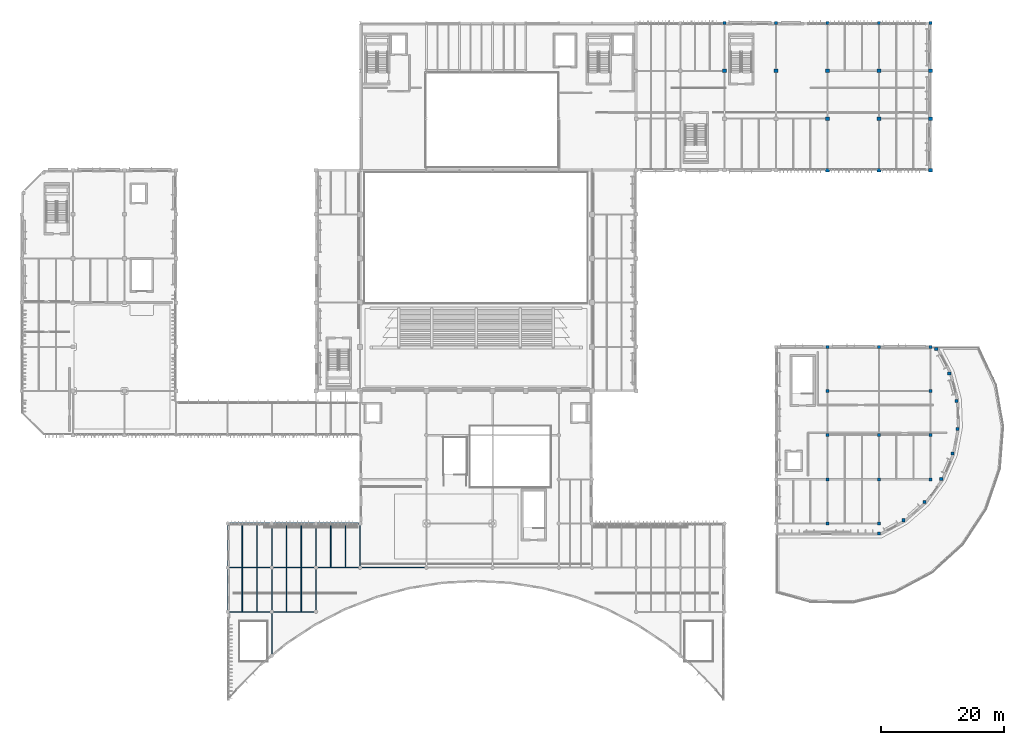
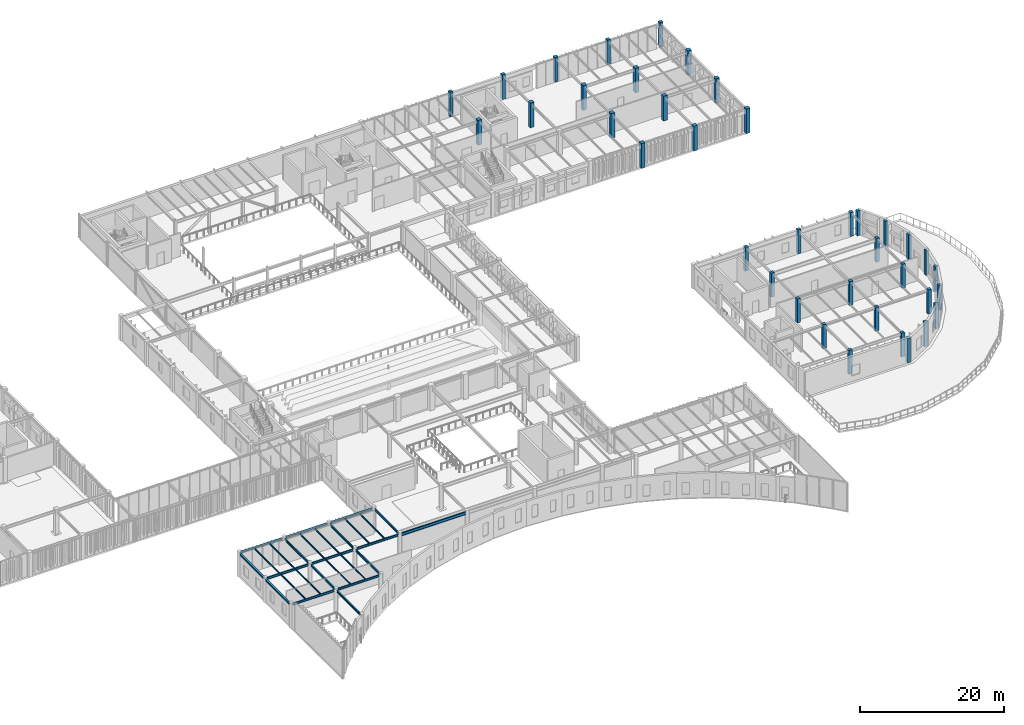
# One storey, part 11 of 104: 38 columns, 27 beams.
"""IFC4 building model written with IfcOpenShell, lengths in metres."""

from ifc_helpers import new_model, si_unit, direction, frame, origin, origin_2d, place, context, subcontext, project, spatial, rectangle, i_section, extrude, material, material_profile, profile_set, type_object, element, save


model = new_model("IFC4")

# Units and contexts
model_context = context("Model", 3, precision=1e-05, world=origin(), true_north=direction((0.0, 1.0)))
body_context = subcontext(model_context, "Body", "Model", "MODEL_VIEW")
ifc_project = project(units=[si_unit("LENGTHUNIT", "METRE"), si_unit("AREAUNIT", "SQUARE_METRE"), si_unit("VOLUMEUNIT", "CUBIC_METRE"), si_unit("PLANEANGLEUNIT", "RADIAN"), si_unit("MASSUNIT", "GRAM", prefix="KILO")], contexts=[model_context])

# Site, building, storey
site_placement = place(None, origin())
site = spatial("IfcSite", under=ifc_project, at=site_placement, CompositionType="ELEMENT")
building_placement = place(site_placement, origin())
building = spatial("IfcBuilding", under=site, at=building_placement, Name="Tazoul Stagehouse", CompositionType="ELEMENT")
storey_placement = place(building_placement, frame((0.0, 0.0, 9.0)))
storey = spatial("IfcBuildingStorey", under=building, at=storey_placement, Name="L02", CompositionType="ELEMENT", Elevation=9.0)

# Columns
ifc_material_1 = material(Name="Concrete C40/50", Category="concrete")
ifc_material_profile_1 = material_profile(ifc_material_1, rectangle(XDim=0.5, YDim=0.5, at=origin_2d()), Name="RC 500x500")
ifc_profile_set_1 = profile_set([ifc_material_profile_1], Name="Concrete C40/50")
column_type_1 = type_object("IfcColumnType", Name="RC Column 500x500", PredefinedType="COLUMN", material=ifc_profile_set_1)
for number, where, z_axis, x_axis, name in (
    (1, (133.800048828125, 30.199951171875, 0.0), (0.0, 0.0, 1.0), (1.0, 0.0, 0.0), "L02 Column C-02 at 20/E"),
    (2, (133.800048828125, 37.39990234375, 0.0), (0.0, 0.0, 1.0), (1.0, 0.0, 0.0), "L02 Column C-02 at 20/F"),
    (3, (133.800048828125, 44.60009765625, 0.0), (0.0, 0.0, 1.0), (1.0, 0.0, 0.0), "L02 Column C-02 at 20/G"),
    (4, (133.800048828125, 51.800048828125, 0.0), (0.0, 0.0, 1.0), (1.0, 0.0, 0.0), "L02 Column C-02 at 20/H"),
    (5, (142.199951171875, 30.199951171875, 0.0), (0.0, 0.0, 1.0), (1.0, 0.0, 0.0), "L02 Column C-02 at 21/E"),
    (6, (142.199951171875, 37.39990234375, 0.0), (0.0, 0.0, 1.0), (1.0, 0.0, 0.0), "L02 Column C-02 at 21/F"),
    (7, (142.199951171875, 44.60009765625, 0.0), (0.0, 0.0, 1.0), (1.0, 0.0, 0.0), "L02 Column C-02 at 21/G"),
    (8, (150.60009765625, 37.39990234375, 0.0), (0.0, 0.0, 1.0), (1.0, 0.0, 0.0), "L02 Column C-02 at 22/F"),
    (9, (150.60009765625, 44.60009765625, 0.0), (0.0, 0.0, 1.0), (1.0, 0.0, 0.0), "L02 Column C-02 at 22/G"),
    (10, (150.60009765625, 51.800048828125, 0.0), (0.0, 0.0, 1.0), (1.0, 0.0, 0.0), "L02 Column C-02 at 22/H"),
):
    element("IfcColumn", number, at=place(storey_placement, frame(where, z_axis=z_axis, x_axis=x_axis)), inside=storey, type_object=column_type_1, Name=name, PredefinedType="COLUMN", context=body_context, shape_type="SweptSolid", body=[
        extrude(rectangle(XDim=0.5, YDim=0.5, at=origin_2d()), origin(), (0.0, 0.0, 1.0), 4.06005859375),
    ])
ifc_material_profile_2 = material_profile(ifc_material_1, rectangle(XDim=0.5, YDim=0.5, at=origin_2d()), Name="RC 500x500")
ifc_profile_set_2 = profile_set([ifc_material_profile_2], Name="Concrete C40/50")
column_type_2 = type_object("IfcColumnType", Name="RC Column 500x500 (Exterior)", PredefinedType="COLUMN", material=ifc_profile_set_2)
for number, where, z_axis, x_axis, name in (
    (11, (117.0, 111.800048828125, 0.0), (0.0, 0.0, 1.0), (1.0, 0.0, 0.0), "L02 Column C-02E at 18/R"),
    (12, (125.39990234375, 111.800048828125, 0.0), (0.0, 0.0, 1.0), (1.0, 0.0, 0.0), "L02 Column C-02E at 19/R"),
):
    element("IfcColumn", number, at=place(storey_placement, frame(where, z_axis=z_axis, x_axis=x_axis)), inside=storey, type_object=column_type_2, Name=name, PredefinedType="COLUMN", context=body_context, shape_type="SweptSolid", body=[
        extrude(rectangle(XDim=0.5, YDim=0.5, at=origin_2d()), origin(), (0.0, 0.0, 1.0), 4.199951171875),
    ])
column_1_placement = place(storey_placement, frame((133.800048828125, 59.0, 0.0), z_axis=(0.0, 0.0, 1.0), x_axis=(1.0, 0.0, 0.0)))
element("IfcColumn", 13, at=column_1_placement, inside=storey, type_object=column_type_2, Name="L02 Column C-02E at 20/J", PredefinedType="COLUMN", context=body_context, shape_type="SweptSolid", body=[
    extrude(rectangle(XDim=0.5, YDim=0.5, at=origin_2d()), origin(), (0.0, 0.0, 1.0), 4.06005859375),
])
column_2_placement = place(storey_placement, frame((133.800048828125, 111.800048828125, 0.0), z_axis=(0.0, 0.0, 1.0), x_axis=(1.0, 0.0, 0.0)))
element("IfcColumn", 14, at=column_2_placement, inside=storey, type_object=column_type_2, Name="L02 Column C-02E at 20/R", PredefinedType="COLUMN", context=body_context, shape_type="SweptSolid", body=[
    extrude(rectangle(XDim=0.5, YDim=0.5, at=origin_2d()), origin(), (0.0, 0.0, 1.0), 4.199951171875),
])
column_3_placement = place(storey_placement, frame((142.199951171875, 59.0, 0.0), z_axis=(0.0, 0.0, 1.0), x_axis=(1.0, 0.0, 0.0)))
element("IfcColumn", 15, at=column_3_placement, inside=storey, type_object=column_type_2, Name="L02 Column C-02E at 21/J", PredefinedType="COLUMN", context=body_context, shape_type="SweptSolid", body=[
    extrude(rectangle(XDim=0.5, YDim=0.5, at=origin_2d()), origin(), (0.0, 0.0, 1.0), 4.06005859375),
])
column_4_placement = place(storey_placement, frame((142.199951171875, 111.800048828125, 0.0), z_axis=(0.0, 0.0, 1.0), x_axis=(1.0, 0.0, 0.0)))
element("IfcColumn", 16, at=column_4_placement, inside=storey, type_object=column_type_2, Name="L02 Column C-02E at 21/R", PredefinedType="COLUMN", context=body_context, shape_type="SweptSolid", body=[
    extrude(rectangle(XDim=0.5, YDim=0.5, at=origin_2d()), origin(), (0.0, 0.0, 1.0), 4.199951171875),
])
column_5_placement = place(storey_placement, frame((150.60009765625, 59.0, 0.0), z_axis=(0.0, 0.0, 1.0), x_axis=(1.0, 0.0, 0.0)))
element("IfcColumn", 17, at=column_5_placement, inside=storey, type_object=column_type_2, Name="L02 Column C-02E at 22/J", PredefinedType="COLUMN", context=body_context, shape_type="SweptSolid", body=[
    extrude(rectangle(XDim=0.5, YDim=0.5, at=origin_2d()), origin(), (0.0, 0.0, 1.0), 4.06005859375),
])
column_6_placement = place(storey_placement, frame((150.60009765625, 111.800048828125, 0.0), z_axis=(0.0, 0.0, 1.0), x_axis=(1.0, 0.0, 0.0)))
element("IfcColumn", 18, at=column_6_placement, inside=storey, type_object=column_type_2, Name="L02 Column C-02E at 22/R", PredefinedType="COLUMN", context=body_context, shape_type="SweptSolid", body=[
    extrude(rectangle(XDim=0.5, YDim=0.5, at=origin_2d()), origin(), (0.0, 0.0, 1.0), 4.199951171875),
])
for number, where, z_axis, x_axis, name in (
    (19, (151.5283203125, 58.66943359375, 0.0), (0.0, 0.0, 1.0), (1.0, 0.0, 0.0), "L02 Studio Drum Perimeter Column C-02E (01)"),
    (20, (153.6494140625, 54.6162109375, 0.0), (0.0, 0.0, 1.0), (1.0, 0.0, 0.0), "L02 Studio Drum Perimeter Column C-02E (02)"),
    (21, (154.82373046875, 50.19482421875, 0.0), (0.0, 0.0, 1.0), (1.0, 0.0, 0.0), "L02 Studio Drum Perimeter Column C-02E (03)"),
    (22, (154.993408203125, 45.623291015625, 0.0), (0.0, 0.0, 1.0), (1.0, 0.0, 0.0), "L02 Studio Drum Perimeter Column C-02E (04)"),
    (23, (154.14990234375, 41.627197265625, 0.0), (0.0, 0.0, 1.0), (1.0, 0.0, 0.0), "L02 Studio Drum Perimeter Column C-02E (05)"),
    (24, (152.3349609375, 37.427978515625, 0.0), (0.0, 0.0, 1.0), (1.0, 0.0, 0.0), "L02 Studio Drum Perimeter Column C-02E (06)"),
    (25, (149.637939453125, 33.73291015625, 0.0), (0.0, 0.0, 1.0), (1.0, 0.0, 0.0), "L02 Studio Drum Perimeter Column C-02E (07)"),
    (26, (146.19189453125, 30.72412109375, 0.0), (0.0, 0.0, 1.0), (1.0, 0.0, 0.0), "L02 Studio Drum Perimeter Column C-02E (08)"),
    (27, (142.1669921875, 28.550048828125, 0.0), (0.0, 0.0, 1.0), (1.0, 0.0, 0.0), "L02 Studio Drum Perimeter Column C-02E (09)"),
):
    element("IfcColumn", number, at=place(storey_placement, frame(where, z_axis=z_axis, x_axis=x_axis)), inside=storey, type_object=column_type_2, Name=name, PredefinedType="COLUMN", context=body_context, shape_type="SweptSolid", body=[
        extrude(rectangle(XDim=0.5, YDim=0.5, at=origin_2d()), origin(), (0.0, 0.0, 1.0), 4.179931640625),
    ])
ifc_material_profile_3 = material_profile(ifc_material_1, rectangle(XDim=0.60009765625, YDim=0.60009765625, at=origin_2d()), Name="RC 600x600")
ifc_profile_set_3 = profile_set([ifc_material_profile_3], Name="Concrete C40/50")
column_type_3 = type_object("IfcColumnType", Name="RC Column 600x600", PredefinedType="COLUMN", material=ifc_profile_set_3)
for number, where, z_axis, x_axis, name in (
    (28, (117.0, 104.0, 0.0), (0.0, 0.0, 1.0), (1.0, 0.0, 0.0), "L02 Column C-03 at 18/Q"),
    (29, (125.39990234375, 104.0, 0.0), (0.0, 0.0, 1.0), (1.0, 0.0, 0.0), "L02 Column C-03 at 19/Q"),
    (30, (133.800048828125, 96.199951171875, 0.0), (0.0, 0.0, 1.0), (1.0, 0.0, 0.0), "L02 Column C-03 at 20/P"),
    (31, (133.800048828125, 104.0, 0.0), (0.0, 0.0, 1.0), (1.0, 0.0, 0.0), "L02 Column C-03 at 20/Q"),
    (32, (142.199951171875, 96.199951171875, 0.0), (0.0, 0.0, 1.0), (1.0, 0.0, 0.0), "L02 Column C-03 at 21/P"),
    (33, (142.199951171875, 104.0, 0.0), (0.0, 0.0, 1.0), (1.0, 0.0, 0.0), "L02 Column C-03 at 21/Q"),
):
    element("IfcColumn", number, at=place(storey_placement, frame(where, z_axis=z_axis, x_axis=x_axis)), inside=storey, type_object=column_type_3, Name=name, PredefinedType="COLUMN", context=body_context, shape_type="SweptSolid", body=[
        extrude(rectangle(XDim=0.60009765625, YDim=0.60009765625, at=origin_2d()), origin(), (0.0, 0.0, 1.0), 4.199951171875),
    ])
ifc_material_profile_4 = material_profile(ifc_material_1, rectangle(XDim=0.60009765625, YDim=0.60009765625, at=origin_2d()), Name="RC 600x600")
ifc_profile_set_4 = profile_set([ifc_material_profile_4], Name="Concrete C40/50")
column_type_4 = type_object("IfcColumnType", Name="RC Column 600x600 (Exterior)", PredefinedType="COLUMN", material=ifc_profile_set_4)
for number, where, z_axis, x_axis, name in (
    (34, (133.800048828125, 87.800048828125, 0.0), (0.0, 0.0, 1.0), (1.0, 0.0, 0.0), "L02 Column C-03E at 20/N"),
    (35, (142.199951171875, 87.800048828125, 0.0), (0.0, 0.0, 1.0), (1.0, 0.0, 0.0), "L02 Column C-03E at 21/N"),
    (36, (150.60009765625, 87.800048828125, 0.0), (0.0, 0.0, 1.0), (1.0, 0.0, 0.0), "L02 Column C-03E at 22/N"),
    (37, (150.60009765625, 96.199951171875, 0.0), (0.0, 0.0, 1.0), (1.0, 0.0, 0.0), "L02 Column C-03E at 22/P"),
    (38, (150.60009765625, 104.0, 0.0), (0.0, 0.0, 1.0), (1.0, 0.0, 0.0), "L02 Column C-03E at 22/Q"),
):
    element("IfcColumn", number, at=place(storey_placement, frame(where, z_axis=z_axis, x_axis=x_axis)), inside=storey, type_object=column_type_4, Name=name, PredefinedType="COLUMN", context=body_context, shape_type="SweptSolid", body=[
        extrude(rectangle(XDim=0.60009765625, YDim=0.60009765625, at=origin_2d()), origin(), (0.0, 0.0, 1.0), 4.199951171875),
    ])

# Beams
ifc_material_2 = material(Name="Steel S355", Category="steel")
ifc_material_profile_5 = material_profile(ifc_material_2, i_section(OverallWidth=0.300048828125, OverallDepth=0.2900390625, WebThickness=0.008544921875, FlangeThickness=0.013916015625, FilletRadius=0.027099609375, at=origin_2d()), Name="HEA 300")
ifc_profile_set_5 = profile_set([ifc_material_profile_5], Name="Steel S355")
beam_type_1 = type_object("IfcBeamType", Name="Steel Crescent Spandrel HEA 300 (Exterior)", PredefinedType="SPANDREL", material=ifc_profile_set_5)
beam_1_placement = place(storey_placement, frame((36.27490234375, 30.199951171875, 3.81298828125), z_axis=(1.0, 0.0, 0.0), x_axis=(0.0, 1.0, 0.0)))
element("IfcBeam", 39, at=beam_1_placement, inside=storey, type_object=beam_type_1, Name="L02 Beam SP-03E E/5-6", PredefinedType="SPANDREL", context=body_context, shape_type="SweptSolid", body=[
    extrude(i_section(OverallWidth=0.300048828125, OverallDepth=0.2900390625, WebThickness=0.008544921875, FlangeThickness=0.013916015625, FilletRadius=0.027099609375, at=origin_2d()), origin(), (0.0, 0.0, 1.0), 6.650146484375),
])
for number, where, z_axis, x_axis, name in (
    (40, (43.47509765625, 30.199951171875, 3.81298828125), (1.0, 0.0, 0.0), (0.0, 1.0, 0.0), "L02 Beam SP-03E E/6-7"),
    (41, (50.675048828125, 30.199951171875, 3.81298828125), (1.0, 0.0, 0.0), (0.0, 1.0, 0.0), "L02 Beam SP-03E E/7-8"),
):
    element("IfcBeam", number, at=place(storey_placement, frame(where, z_axis=z_axis, x_axis=x_axis)), inside=storey, type_object=beam_type_1, Name=name, PredefinedType="SPANDREL", context=body_context, shape_type="SweptSolid", body=[
        extrude(i_section(OverallWidth=0.300048828125, OverallDepth=0.2900390625, WebThickness=0.008544921875, FlangeThickness=0.013916015625, FilletRadius=0.027099609375, at=origin_2d()), origin(), (0.0, 0.0, 1.0), 6.64990234375),
    ])
ifc_material_profile_6 = material_profile(ifc_material_2, i_section(OverallWidth=0.280029296875, OverallDepth=0.27001953125, WebThickness=0.008056640625, FlangeThickness=0.012939453125, FilletRadius=0.02392578125, at=origin_2d()), Name="HEA 280")
ifc_profile_set_6 = profile_set([ifc_material_profile_6], Name="Steel S355")
beam_type_2 = type_object("IfcBeamType", Name="Steel Facade Spandrel HEA 280 (Exterior)", PredefinedType="SPANDREL", material=ifc_profile_set_6)
for number, where, z_axis, x_axis, name in (
    (42, (36.0, 16.074951171875, 3.822998046875), (0.0, 1.0, 0.0), (-1.0, 0.0, 0.0), "L02 Beam SP-02E 5/C-D"),
    (43, (36.0, 23.27490234375, 3.822998046875), (0.0, 1.0, 0.0), (-1.0, 0.0, 0.0), "L02 Beam SP-02E 5/D-E"),
):
    element("IfcBeam", number, at=place(storey_placement, frame(where, z_axis=z_axis, x_axis=x_axis)), inside=storey, type_object=beam_type_2, Name=name, PredefinedType="SPANDREL", context=body_context, shape_type="SweptSolid", body=[
        extrude(i_section(OverallWidth=0.280029296875, OverallDepth=0.27001953125, WebThickness=0.008056640625, FlangeThickness=0.012939453125, FilletRadius=0.02392578125, at=origin_2d()), origin(), (0.0, 0.0, 1.0), 6.650146484375),
    ])
ifc_material_profile_7 = material_profile(ifc_material_2, i_section(OverallWidth=0.1201171875, OverallDepth=0.239990234375, WebThickness=0.006103515625, FlangeThickness=0.009765625, FilletRadius=0.014892578125, at=origin_2d()), Name="IPE 240")
ifc_profile_set_7 = profile_set([ifc_material_profile_7], Name="Steel S355")
beam_type_3 = type_object("IfcBeamType", Name="Steel Floor Joist IPE 240", PredefinedType="JOIST", material=ifc_profile_set_7)
for number, where, z_axis, x_axis, name in (
    (44, (38.39990234375, 15.860107421875, 3.837890625), (0.0, 1.0, 0.0), (-1.0, 0.0, 0.0), "L02 Joist JS-01 5/C-1"),
    (45, (40.800048828125, 15.860107421875, 3.837890625), (0.0, 1.0, 0.0), (-1.0, 0.0, 0.0), "L02 Joist JS-01 5/C-2"),
    (46, (45.60009765625, 15.860107421875, 3.837890625), (0.0, 1.0, 0.0), (-1.0, 0.0, 0.0), "L02 Joist JS-01 6/C-1"),
    (47, (48.0, 15.860107421875, 3.837890625), (0.0, 1.0, 0.0), (-1.0, 0.0, 0.0), "L02 Joist JS-01 6/C-2"),
):
    element("IfcBeam", number, at=place(storey_placement, frame(where, z_axis=z_axis, x_axis=x_axis)), inside=storey, type_object=beam_type_3, Name=name, PredefinedType="JOIST", context=body_context, shape_type="SweptSolid", body=[
        extrude(i_section(OverallWidth=0.1201171875, OverallDepth=0.239990234375, WebThickness=0.006103515625, FlangeThickness=0.009765625, FilletRadius=0.014892578125, at=origin_2d()), origin(), (0.0, 0.0, 1.0), 7.079833984375),
    ])
for number, where, z_axis, x_axis, name in (
    (48, (38.39990234375, 23.06005859375, 3.837890625), (0.0, 1.0, 0.0), (-1.0, 0.0, 0.0), "L02 Joist JS-01 5/D-1"),
    (49, (40.800048828125, 23.06005859375, 3.837890625), (0.0, 1.0, 0.0), (-1.0, 0.0, 0.0), "L02 Joist JS-01 5/D-2"),
    (50, (45.60009765625, 23.06005859375, 3.837890625), (0.0, 1.0, 0.0), (-1.0, 0.0, 0.0), "L02 Joist JS-01 6/D-1"),
    (51, (48.0, 23.06005859375, 3.837890625), (0.0, 1.0, 0.0), (-1.0, 0.0, 0.0), "L02 Joist JS-01 6/D-2"),
    (52, (52.800048828125, 23.06005859375, 3.837890625), (0.0, 1.0, 0.0), (-1.0, 0.0, 0.0), "L02 Joist JS-01 7/D-1"),
    (53, (55.199951171875, 23.06005859375, 3.837890625), (0.0, 1.0, 0.0), (-1.0, 0.0, 0.0), "L02 Joist JS-01 7/D-2"),
):
    element("IfcBeam", number, at=place(storey_placement, frame(where, z_axis=z_axis, x_axis=x_axis)), inside=storey, type_object=beam_type_3, Name=name, PredefinedType="JOIST", context=body_context, shape_type="SweptSolid", body=[
        extrude(i_section(OverallWidth=0.1201171875, OverallDepth=0.239990234375, WebThickness=0.006103515625, FlangeThickness=0.009765625, FilletRadius=0.014892578125, at=origin_2d()), origin(), (0.0, 0.0, 1.0), 7.014892578125),
    ])
ifc_material_profile_8 = material_profile(ifc_material_2, i_section(OverallWidth=0.199951171875, OverallDepth=0.5, WebThickness=0.01025390625, FlangeThickness=0.01611328125, FilletRadius=0.02099609375, at=origin_2d()), Name="IPE 500")
ifc_profile_set_8 = profile_set([ifc_material_profile_8], Name="Steel S355")
beam_type_4 = type_object("IfcBeamType", Name="Steel Long-Span Girder IPE 500", PredefinedType="BEAM", material=ifc_profile_set_8)
beam_2_placement = place(storey_placement, frame((57.875, 23.0, 3.7080078125), z_axis=(1.0, 0.0, 0.0), x_axis=(0.0, 1.0, 0.0)))
element("IfcBeam", 54, at=beam_2_placement, inside=storey, type_object=beam_type_4, Name="L02 Beam SB-04 D/8-10", PredefinedType="BEAM", context=body_context, shape_type="SweptSolid", body=[
    extrude(i_section(OverallWidth=0.199951171875, OverallDepth=0.5, WebThickness=0.01025390625, FlangeThickness=0.01611328125, FilletRadius=0.02099609375, at=origin_2d()), origin(), (0.0, 0.0, 1.0), 10.25),
])
ifc_material_profile_9 = material_profile(ifc_material_2, i_section(OverallWidth=0.169921875, OverallDepth=0.360107421875, WebThickness=0.008056640625, FlangeThickness=0.0126953125, FilletRadius=0.01806640625, at=origin_2d()), Name="IPE 360")
ifc_profile_set_9 = profile_set([ifc_material_profile_9], Name="Steel S355")
beam_type_5 = type_object("IfcBeamType", Name="Steel Primary Girder IPE 360", PredefinedType="BEAM", material=ifc_profile_set_9)
beam_3_placement = place(storey_placement, frame((36.27490234375, 15.800048828125, 3.778076171875), z_axis=(1.0, 0.0, 0.0), x_axis=(0.0, 1.0, 0.0)))
element("IfcBeam", 55, at=beam_3_placement, inside=storey, type_object=beam_type_5, Name="L02 Beam SB-01 C/5-6", PredefinedType="BEAM", context=body_context, shape_type="SweptSolid", body=[
    extrude(i_section(OverallWidth=0.169921875, OverallDepth=0.360107421875, WebThickness=0.008056640625, FlangeThickness=0.0126953125, FilletRadius=0.01806640625, at=origin_2d()), origin(), (0.0, 0.0, 1.0), 6.650146484375),
])
beam_4_placement = place(storey_placement, frame((43.47509765625, 15.800048828125, 3.778076171875), z_axis=(1.0, 0.0, 0.0), x_axis=(0.0, 1.0, 0.0)))
element("IfcBeam", 56, at=beam_4_placement, inside=storey, type_object=beam_type_5, Name="L02 Beam SB-01 C/6-7", PredefinedType="BEAM", context=body_context, shape_type="SweptSolid", body=[
    extrude(i_section(OverallWidth=0.169921875, OverallDepth=0.360107421875, WebThickness=0.008056640625, FlangeThickness=0.0126953125, FilletRadius=0.01806640625, at=origin_2d()), origin(), (0.0, 0.0, 1.0), 6.64990234375),
])
beam_5_placement = place(storey_placement, frame((36.27490234375, 23.0, 3.778076171875), z_axis=(1.0, 0.0, 0.0), x_axis=(0.0, 1.0, 0.0)))
element("IfcBeam", 57, at=beam_5_placement, inside=storey, type_object=beam_type_5, Name="L02 Beam SB-01 D/5-6", PredefinedType="BEAM", context=body_context, shape_type="SweptSolid", body=[
    extrude(i_section(OverallWidth=0.169921875, OverallDepth=0.360107421875, WebThickness=0.008056640625, FlangeThickness=0.0126953125, FilletRadius=0.01806640625, at=origin_2d()), origin(), (0.0, 0.0, 1.0), 6.650146484375),
])
for number, where, z_axis, x_axis, name in (
    (58, (43.47509765625, 23.0, 3.778076171875), (1.0, 0.0, 0.0), (0.0, 1.0, 0.0), "L02 Beam SB-01 D/6-7"),
    (59, (50.675048828125, 23.0, 3.778076171875), (1.0, 0.0, 0.0), (0.0, 1.0, 0.0), "L02 Beam SB-01 D/7-8"),
    (60, (43.199951171875, 8.875, 3.778076171875), (0.0, 1.0, 0.0), (-1.0, 0.0, 0.0), "L02 Beam SB-01 6/B-C"),
):
    element("IfcBeam", number, at=place(storey_placement, frame(where, z_axis=z_axis, x_axis=x_axis)), inside=storey, type_object=beam_type_5, Name=name, PredefinedType="BEAM", context=body_context, shape_type="SweptSolid", body=[
        extrude(i_section(OverallWidth=0.169921875, OverallDepth=0.360107421875, WebThickness=0.008056640625, FlangeThickness=0.0126953125, FilletRadius=0.01806640625, at=origin_2d()), origin(), (0.0, 0.0, 1.0), 6.64990234375),
    ])
for number, where, z_axis, x_axis, name in (
    (61, (43.199951171875, 16.074951171875, 3.778076171875), (0.0, 1.0, 0.0), (-1.0, 0.0, 0.0), "L02 Beam SB-01 6/C-D"),
    (62, (43.199951171875, 23.27490234375, 3.778076171875), (0.0, 1.0, 0.0), (-1.0, 0.0, 0.0), "L02 Beam SB-01 6/D-E"),
    (63, (50.39990234375, 16.074951171875, 3.778076171875), (0.0, 1.0, 0.0), (-1.0, 0.0, 0.0), "L02 Beam SB-01 7/C-D"),
    (64, (50.39990234375, 23.27490234375, 3.778076171875), (0.0, 1.0, 0.0), (-1.0, 0.0, 0.0), "L02 Beam SB-01 7/D-E"),
    (65, (57.60009765625, 23.27490234375, 3.778076171875), (0.0, 1.0, 0.0), (-1.0, 0.0, 0.0), "L02 Beam SB-01 8/D-E"),
):
    element("IfcBeam", number, at=place(storey_placement, frame(where, z_axis=z_axis, x_axis=x_axis)), inside=storey, type_object=beam_type_5, Name=name, PredefinedType="BEAM", context=body_context, shape_type="SweptSolid", body=[
        extrude(i_section(OverallWidth=0.169921875, OverallDepth=0.360107421875, WebThickness=0.008056640625, FlangeThickness=0.0126953125, FilletRadius=0.01806640625, at=origin_2d()), origin(), (0.0, 0.0, 1.0), 6.650146484375),
    ])

save(model, "model.ifc")
